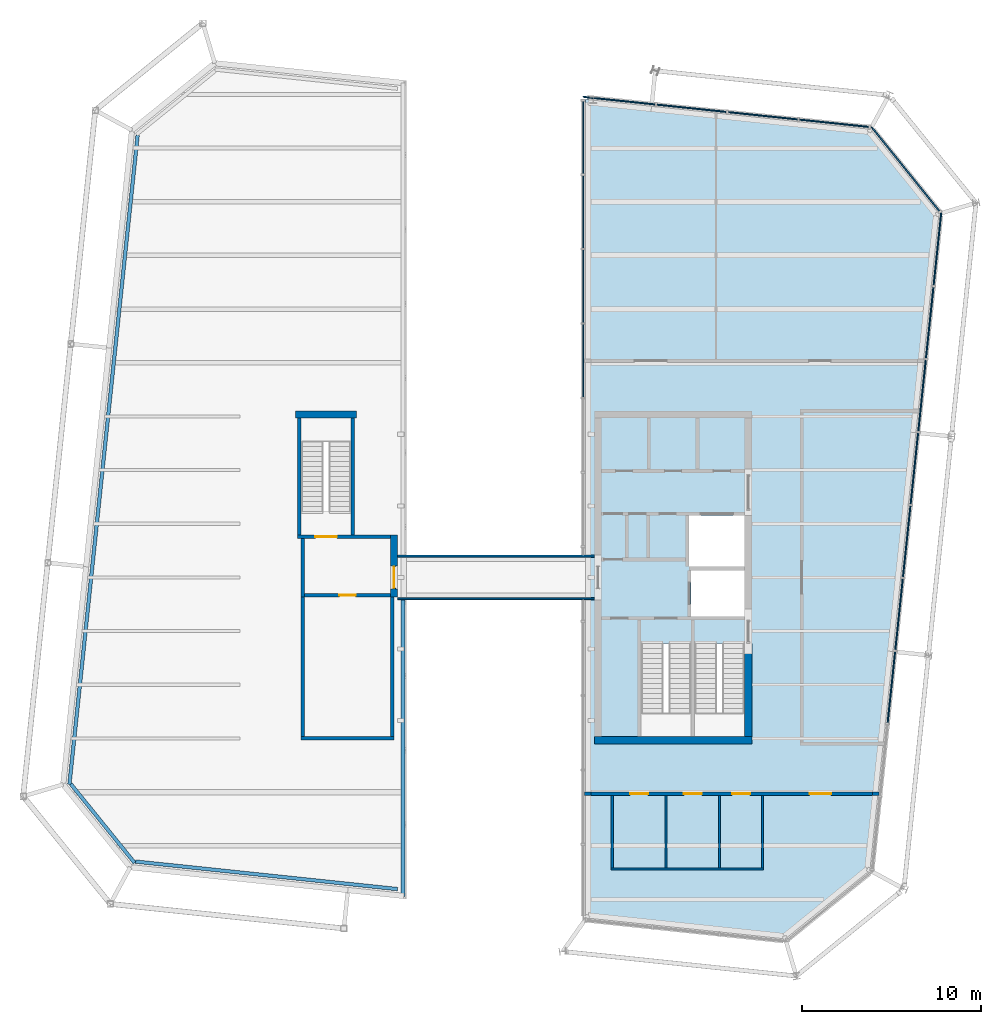
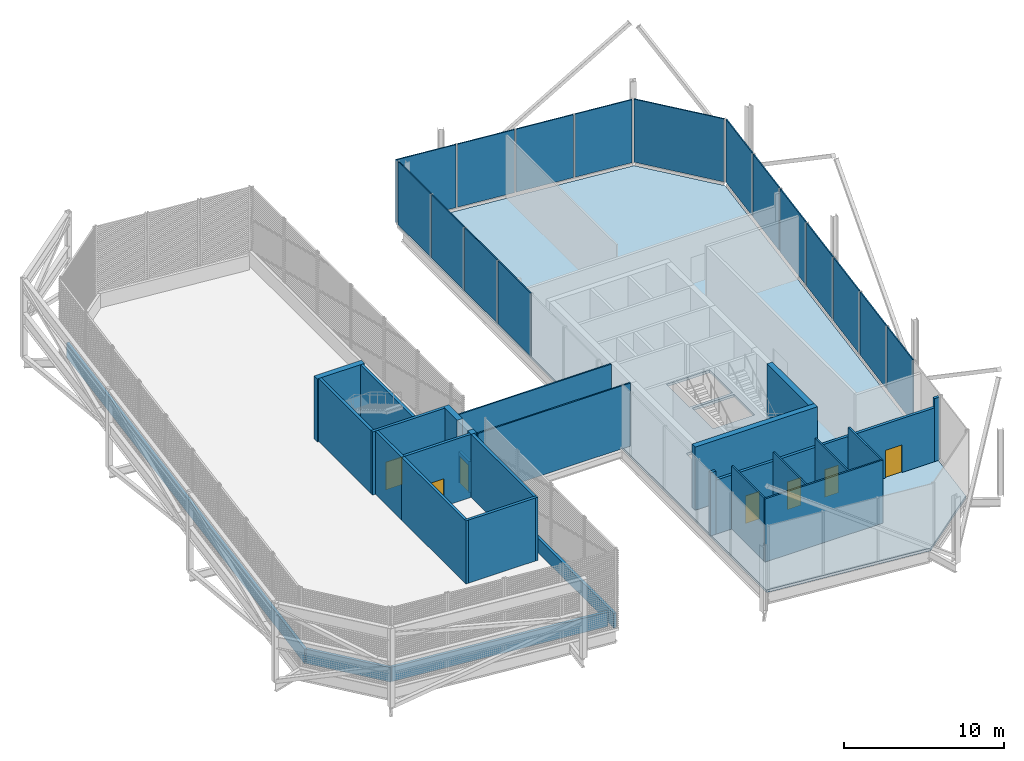
# One storey, part 10 of 15: 28 walls, 16 plates, 7 doors, 1 slab, 7 openings, 4 elements without a shape of their own.
"""IFC4 building model written with IfcOpenShell, lengths in metres."""

from ifc_helpers import new_model, si_unit, direction, frame, frame_2d, origin, place, context, subcontext, project, spatial, polyline, rectangle, outline, extrude, material, layer, layer_set, type_object, element, fill, aggregate, save


model = new_model("IFC4")

# Units and contexts
model_context = context("Model", 3, precision=1e-05, world=origin(), true_north=direction((0.0, 1.0)))
body_context = subcontext(model_context, "Body", "Model", "MODEL_VIEW")
ifc_project = project(units=[si_unit("LENGTHUNIT", "METRE"), si_unit("AREAUNIT", "SQUARE_METRE"), si_unit("VOLUMEUNIT", "CUBIC_METRE"), si_unit("PLANEANGLEUNIT", "RADIAN"), si_unit("MASSUNIT", "GRAM", prefix="KILO")], contexts=[model_context])

# Site, building, storey
site_placement = place(None, origin())
site = spatial("IfcSite", under=ifc_project, at=site_placement, CompositionType="ELEMENT")
building_placement = place(site_placement, origin())
building = spatial("IfcBuilding", under=site, at=building_placement, Name="Millrace Tower", CompositionType="ELEMENT")
storey_placement = place(building_placement, frame((0.0, 0.0, 352.10009765625)))
storey = spatial("IfcBuildingStorey", under=building, at=storey_placement, Name="L81", CompositionType="ELEMENT", Elevation=352.10009765625)

# Curtain wall, plates
ifc_material_1 = material(Name="Aluminium and glass", Category="aluminium")
ifc_layer_1 = layer(ifc_material_1, 0.25)
ifc_layer_set_1 = layer_set([ifc_layer_1], Name="Aluminium and glass")
curtain_wall_type = type_object("IfcCurtainWallType", Name="CW-7 crown louvred enclosure", PredefinedType="NOTDEFINED", material=ifc_layer_set_1)
placement_1 = place(storey_placement, origin())
curtain_wall_1 = element("IfcCurtainWall", 1, at=placement_1, inside=storey, type_object=curtain_wall_type, Name="Curtain wall CE-F01 L81", PredefinedType="NOTDEFINED")
ifc_material_2 = material(Name="Glass", Category="glass")
ifc_layer_2 = layer(ifc_material_2, 0.080078125)
ifc_layer_set_2 = layer_set([ifc_layer_2], Name="Glass")
plate_type = type_object("IfcPlateType", Name="CW-7 crown louvred enclosure fixed louvre panel", PredefinedType="CURTAIN_PANEL", material=ifc_layer_set_2)
placement_2 = place(storey_placement, frame((0.0, 0.0, 0.199951171875)))
plate_1 = element("IfcPlate", 2, at=placement_2, type_object=plate_type, Name="CW7 panel CE-F01.1", PredefinedType="CURTAIN_PANEL", context=body_context, shape_type="SweptSolid", body=[
    extrude(outline(polyline([(4.8349609375, 26.620849609375), (4.8349609375, 22.561767578125), (4.9150390625, 22.561767578125), (4.9150390625, 26.620849609375), (4.8349609375, 26.620849609375)])), origin(), (0.0, 0.0, 1.0), 4.800048828125),
])
plate_2 = element("IfcPlate", 3, at=placement_2, type_object=plate_type, Name="CW7 panel CE-F01.2", PredefinedType="CURTAIN_PANEL", context=body_context, shape_type="SweptSolid", body=[
    extrude(outline(polyline([(4.8349609375, 22.461669921875), (4.8349609375, 18.402587890625), (4.9150390625, 18.402587890625), (4.9150390625, 22.461669921875), (4.8349609375, 22.461669921875)])), origin(), (0.0, 0.0, 1.0), 4.800048828125),
])
plate_3 = element("IfcPlate", 4, at=placement_2, type_object=plate_type, Name="CW7 panel CE-F01.3", PredefinedType="CURTAIN_PANEL", context=body_context, shape_type="SweptSolid", body=[
    extrude(outline(polyline([(4.8349609375, 18.302490234375), (4.8349609375, 14.243408203125), (4.9150390625, 14.243408203125), (4.9150390625, 18.302490234375), (4.8349609375, 18.302490234375)])), origin(), (0.0, 0.0, 1.0), 4.800048828125),
])
plate_4 = element("IfcPlate", 5, at=placement_2, type_object=plate_type, Name="CW7 panel CE-F01.4", PredefinedType="CURTAIN_PANEL", context=body_context, shape_type="SweptSolid", body=[
    extrude(outline(polyline([(4.8349609375, 14.143310546875), (4.8349609375, 10.084228515625), (4.9150390625, 10.084228515625), (4.9150390625, 14.143310546875), (4.8349609375, 14.143310546875)])), origin(), (0.0, 0.0, 1.0), 4.800048828125),
])
aggregate(curtain_wall_1, [plate_1, plate_2, plate_3, plate_4])

curtain_wall_2 = element("IfcCurtainWall", 6, at=placement_1, inside=storey, type_object=curtain_wall_type, Name="Curtain wall CE-F04 L81", PredefinedType="NOTDEFINED")
plate_5 = element("IfcPlate", 7, at=placement_2, type_object=plate_type, Name="CW7 panel CE-F04.3", PredefinedType="CURTAIN_PANEL", context=body_context, shape_type="SweptSolid", body=[
    extrude(outline(polyline([(21.928466796875, -8.1396484375), (22.3466796875, -4.16162109375), (22.26708984375, -4.1533203125), (21.848876953125, -8.13134765625), (21.928466796875, -8.1396484375)])), origin(), (0.0, 0.0, 1.0), 4.800048828125),
])
plate_6 = element("IfcPlate", 8, at=placement_2, type_object=plate_type, Name="CW7 panel CE-F04.4", PredefinedType="CURTAIN_PANEL", context=body_context, shape_type="SweptSolid", body=[
    extrude(outline(polyline([(22.357177734375, -4.06201171875), (22.775146484375, -0.083984375), (22.695556640625, -0.07568359375), (22.277587890625, -4.0537109375), (22.357177734375, -4.06201171875)])), origin(), (0.0, 0.0, 1.0), 4.800048828125),
])
plate_7 = element("IfcPlate", 9, at=placement_2, type_object=plate_type, Name="CW7 panel CE-F04.5", PredefinedType="CURTAIN_PANEL", context=body_context, shape_type="SweptSolid", body=[
    extrude(outline(polyline([(22.78564453125, 0.015380859375), (23.203857421875, 3.993408203125), (23.124267578125, 4.001953125), (22.7060546875, 0.023681640625), (22.78564453125, 0.015380859375)])), origin(), (0.0, 0.0, 1.0), 4.800048828125),
])
plate_8 = element("IfcPlate", 10, at=placement_2, type_object=plate_type, Name="CW7 panel CE-F04.6", PredefinedType="CURTAIN_PANEL", context=body_context, shape_type="SweptSolid", body=[
    extrude(outline(polyline([(23.214111328125, 4.093017578125), (23.63232421875, 8.071044921875), (23.552734375, 8.079345703125), (23.134521484375, 4.101318359375), (23.214111328125, 4.093017578125)])), origin(), (0.0, 0.0, 1.0), 4.800048828125),
])
plate_9 = element("IfcPlate", 11, at=placement_2, type_object=plate_type, Name="CW7 panel CE-F04.7", PredefinedType="CURTAIN_PANEL", context=body_context, shape_type="SweptSolid", body=[
    extrude(outline(polyline([(23.642822265625, 8.17041015625), (24.060791015625, 12.148681640625), (23.9814453125, 12.156982421875), (23.563232421875, 8.178955078125), (23.642822265625, 8.17041015625)])), origin(), (0.0, 0.0, 1.0), 4.800048828125),
])
plate_10 = element("IfcPlate", 12, at=placement_2, type_object=plate_type, Name="CW7 panel CE-F04.8", PredefinedType="CURTAIN_PANEL", context=body_context, shape_type="SweptSolid", body=[
    extrude(outline(polyline([(24.0712890625, 12.248046875), (24.489501953125, 16.22607421875), (24.409912109375, 16.234375), (23.99169921875, 12.25634765625), (24.0712890625, 12.248046875)])), origin(), (0.0, 0.0, 1.0), 4.800048828125),
])
plate_11 = element("IfcPlate", 13, at=placement_2, type_object=plate_type, Name="CW7 panel CE-F04.9", PredefinedType="CURTAIN_PANEL", context=body_context, shape_type="SweptSolid", body=[
    extrude(outline(polyline([(24.5, 16.32568359375), (24.925048828125, 20.37158203125), (24.842041015625, 20.346923828125), (24.42041015625, 16.333984375), (24.5, 16.32568359375)])), origin(), (0.0, 0.0, 1.0), 4.800048828125),
])
aggregate(curtain_wall_2, [plate_5, plate_6, plate_7, plate_8, plate_9, plate_10, plate_11])

# Curtain wall, plate
curtain_wall_3 = element("IfcCurtainWall", 14, at=placement_1, inside=storey, type_object=curtain_wall_type, Name="Curtain wall CE-F05 L81", PredefinedType="NOTDEFINED")
plate_12 = element("IfcPlate", 15, at=placement_2, type_object=plate_type, Name="CW7 panel CE-F05.1", PredefinedType="CURTAIN_PANEL", context=body_context, shape_type="SweptSolid", body=[
    extrude(outline(polyline([(24.8193359375, 20.50244140625), (21.01220703125, 25.203857421875), (20.970947265625, 25.127685546875), (24.757080078125, 20.4521484375), (24.8193359375, 20.50244140625)])), origin(), (0.0, 0.0, 1.0), 4.800048828125),
])
aggregate(curtain_wall_3, [plate_12])

# Curtain wall, plates
curtain_wall_4 = element("IfcCurtainWall", 16, at=placement_1, inside=storey, type_object=curtain_wall_type, Name="Curtain wall CE-F06 L81", PredefinedType="NOTDEFINED")
plate_13 = element("IfcPlate", 17, at=placement_2, type_object=plate_type, Name="CW7 panel CE-F06.1", PredefinedType="CURTAIN_PANEL", context=body_context, shape_type="SweptSolid", body=[
    extrude(outline(polyline([(20.8447265625, 25.221435546875), (16.96240234375, 25.62939453125), (16.9541015625, 25.5498046875), (20.83642578125, 25.141845703125), (20.8447265625, 25.221435546875)])), origin(), (0.0, 0.0, 1.0), 4.800048828125),
])
plate_14 = element("IfcPlate", 18, at=placement_2, type_object=plate_type, Name="CW7 panel CE-F06.2", PredefinedType="CURTAIN_PANEL", context=body_context, shape_type="SweptSolid", body=[
    extrude(outline(polyline([(16.863037109375, 25.639892578125), (12.980712890625, 26.0478515625), (12.972412109375, 25.96826171875), (16.854736328125, 25.560302734375), (16.863037109375, 25.639892578125)])), origin(), (0.0, 0.0, 1.0), 4.800048828125),
])
plate_15 = element("IfcPlate", 19, at=placement_2, type_object=plate_type, Name="CW7 panel CE-F06.3", PredefinedType="CURTAIN_PANEL", context=body_context, shape_type="SweptSolid", body=[
    extrude(outline(polyline([(12.88134765625, 26.058349609375), (8.9990234375, 26.46630859375), (8.99072265625, 26.386962890625), (12.872802734375, 25.978759765625), (12.88134765625, 26.058349609375)])), origin(), (0.0, 0.0, 1.0), 4.800048828125),
])
plate_16 = element("IfcPlate", 20, at=placement_2, type_object=plate_type, Name="CW7 panel CE-F06.4", PredefinedType="CURTAIN_PANEL", context=body_context, shape_type="SweptSolid", body=[
    extrude(outline(polyline([(8.8994140625, 26.476806640625), (4.8349609375, 26.904052734375), (4.9150390625, 26.815185546875), (8.89111328125, 26.397216796875), (8.8994140625, 26.476806640625)])), origin(), (0.0, 0.0, 1.0), 4.800048828125),
])
aggregate(curtain_wall_4, [plate_13, plate_14, plate_15, plate_16])

# Slab
ifc_material_3 = material(Name="Concrete C35 on steel deck", Category="concrete")
ifc_layer_3 = layer(ifc_material_3, 0.199951171875)
ifc_layer_set_3 = layer_set([ifc_layer_3], Name="Concrete C35 on steel deck")
slab_type = type_object("IfcSlabType", Name="Composite floor slab 200 mm", PredefinedType="FLOOR", material=ifc_layer_set_3)
slab_placement = place(storey_placement, frame((0.0, 0.0, -0.2001953125)))
element("IfcSlab", 21, at=slab_placement, inside=storey, type_object=slab_type, Name="SL-CROWN-L81-SE", PredefinedType="FLOOR", context=body_context, shape_type="SweptSolid", body=[
    extrude(outline(polyline([(5.0, 26.720703125), (5.0, -19.02978515625), (16.1708984375, -20.203857421875), (20.896728515625, -16.376953125), (24.75390625, 20.32080078125), (20.927001953125, 25.046875), (5.0, 26.720703125)]), holes=[polyline([(10.800048828125, 0.60009765625), (13.89990234375, 0.60009765625), (13.89990234375, 3.449951171875), (10.800048828125, 3.449951171875), (10.800048828125, 0.60009765625)]), polyline([(10.89990234375, -2.179931640625), (13.89990234375, -2.179931640625), (13.89990234375, 0.39990234375), (10.89990234375, 0.39990234375), (10.89990234375, -2.179931640625)]), polyline([(11.10009765625, -8.89990234375), (13.89990234375, -8.89990234375), (13.89990234375, -3.679931640625), (11.10009765625, -3.679931640625), (11.10009765625, -8.89990234375)]), polyline([(8.10009765625, -8.89990234375), (10.89990234375, -8.89990234375), (10.89990234375, -3.679931640625), (8.10009765625, -3.679931640625), (8.10009765625, -8.89990234375)])]), origin(), (0.0, 0.0, 1.0), 0.2001953125),
])

# Walls
ifc_material_4 = material(Name="Concrete C60", Category="concrete")
ifc_layer_4 = layer(ifc_material_4, 0.39990234375)
ifc_layer_set_4 = layer_set([ifc_layer_4], Name="Concrete C60")
wall_type_1 = type_object("IfcWallType", Name="Core wall 400 Concrete C60", PredefinedType="SHEAR", material=ifc_layer_set_4)
wall_1_placement = place(storey_placement, frame((14.300048828125, -9.10009765625, 0.0), z_axis=(0.0, 0.0, 1.0), x_axis=(-1.0, 0.0, 0.0)))
element("IfcWall", 22, at=wall_1_placement, inside=storey, type_object=wall_type_1, Name="Core wall E L81", PredefinedType="SHEAR", context=body_context, shape_type="SweptSolid", body=[
    extrude(rectangle(XDim=8.800048828125, YDim=0.39990234375, at=frame_2d((4.39990234375, 0.0))), origin(), (0.0, 0.0, 1.0), 4.7998046875),
])
wall_2_placement = place(storey_placement, frame((14.10009765625, -3.679931640625, 0.0), z_axis=(0.0, 0.0, 1.0), x_axis=(0.0, -1.0, 0.0)))
element("IfcWall", 23, at=wall_2_placement, inside=storey, type_object=wall_type_1, Name="Core wall E L81", PredefinedType="SHEAR", context=body_context, shape_type="SweptSolid", body=[
    extrude(rectangle(XDim=5.219970703125, YDim=0.39990234375, at=frame_2d((2.60986328125, 0.0))), origin(), (0.0, 0.0, 1.0), 4.7998046875),
])
ifc_material_5 = material(Name="Masonry partition, fire-rated", Category="masonry")
ifc_layer_5 = layer(ifc_material_5, 0.199951171875)
ifc_layer_set_5 = layer_set([ifc_layer_5], Name="Masonry partition, fire-rated")
wall_type_2 = type_object("IfcWallType", Name="Corridor wall 200", PredefinedType="PARTITIONING", material=ifc_layer_set_5)
wall_3_placement = place(storey_placement, frame((4.93994140625, -12.10009765625, 0.0), z_axis=(0.0, 0.0, 1.0), x_axis=(1.0, 0.0, 0.0)))
element("IfcWall", 24, at=wall_3_placement, inside=storey, type_object=wall_type_2, Name="Corridor wall L81", PredefinedType="PARTITIONING", context=body_context, shape_type="SweptSolid", body=[
    extrude(rectangle(XDim=0.367431640625, YDim=0.199951171875, at=frame_2d((0.18359375, 0.0))), origin(), (0.0, 0.0, 1.0), 4.7998046875),
])

# Wall, openings, doors
wall_4_placement = place(storey_placement, frame((5.307373046875, -12.10009765625, 0.0), z_axis=(0.0, 0.0, 1.0), x_axis=(1.0, 0.0, 0.0)))
wall_4 = element("IfcWall", 25, at=wall_4_placement, inside=storey, type_object=wall_type_2, Name="Corridor wall L81", PredefinedType="PARTITIONING", context=body_context, shape_type="SweptSolid", body=[
    extrude(rectangle(XDim=15.740478515625, YDim=0.199951171875, at=frame_2d((7.8701171875, 0.0))), origin(), (0.0, 0.0, 1.0), 4.1064453125),
])
opening_1_placement = place(wall_4_placement, frame((12.220947265625, 0.0, 0.0)))
opening_1 = element("IfcOpeningElement", 26, at=opening_1_placement, cuts=wall_4, Name="Opening 81-P004", PredefinedType="OPENING", context=body_context, shape_type="SweptSolid", body=[
    extrude(rectangle(XDim=1.199951171875, YDim=2.10009765625, at=frame_2d((0.60009765625, 1.050048828125))), frame((0.0, 0.10986328125, 0.0), z_axis=(0.0, -1.0, 0.0), x_axis=(1.0, 0.0, 0.0)), (0.0, 0.0, 1.0), 0.219970703125),
])
opening_2_placement = place(wall_4_placement, frame((2.192626953125, 0.0, 0.0)))
opening_2 = element("IfcOpeningElement", 27, at=opening_2_placement, cuts=wall_4, Name="Opening 81-P005", PredefinedType="OPENING", context=body_context, shape_type="SweptSolid", body=[
    extrude(rectangle(XDim=1.0, YDim=2.10009765625, at=frame_2d((0.5, 1.050048828125))), frame((0.0, 0.10986328125, 0.0), z_axis=(0.0, -1.0, 0.0), x_axis=(1.0, 0.0, 0.0)), (0.0, 0.0, 1.0), 0.219970703125),
])
opening_3_placement = place(wall_4_placement, frame((5.192626953125, 0.0, 0.0)))
opening_3 = element("IfcOpeningElement", 28, at=opening_3_placement, cuts=wall_4, Name="Opening 81-P006", PredefinedType="OPENING", context=body_context, shape_type="SweptSolid", body=[
    extrude(rectangle(XDim=1.0, YDim=2.10009765625, at=frame_2d((0.5, 1.050048828125))), frame((0.0, 0.10986328125, 0.0), z_axis=(0.0, -1.0, 0.0), x_axis=(1.0, 0.0, 0.0)), (0.0, 0.0, 1.0), 0.219970703125),
])
opening_4_placement = place(wall_4_placement, frame((7.892578125, 0.0, 0.0)))
opening_4 = element("IfcOpeningElement", 29, at=opening_4_placement, cuts=wall_4, Name="Opening 81-P007", PredefinedType="OPENING", context=body_context, shape_type="SweptSolid", body=[
    extrude(rectangle(XDim=1.0, YDim=2.10009765625, at=frame_2d((0.5, 1.050048828125))), frame((0.0, 0.10986328125, 0.0), z_axis=(0.0, -1.0, 0.0), x_axis=(1.0, 0.0, 0.0)), (0.0, 0.0, 1.0), 0.219970703125),
])
ifc_material_6 = material(Name="Steel door set, fire-rated", Category="steel")
door_type_1 = type_object("IfcDoorType", Name="Corridor door 1000 x 2100", OperationType="SINGLE_SWING_LEFT", PredefinedType="DOOR", material=ifc_material_6)
door_1_placement = place(opening_2_placement, frame((1.0, 0.0, 0.0), z_axis=(0.0, 0.0, 1.0), x_axis=(-1.0, 0.0, 0.0)))
door_1 = element("IfcDoor", 30, at=door_1_placement, inside=storey, type_object=door_type_1, Name="Door 81-P005", OperationType="SINGLE_SWING_RIGHT", OverallHeight=2.10009765625, OverallWidth=1.0, PredefinedType="DOOR", context=body_context, shape_type="SweptSolid", body=[
    extrude(rectangle(XDim=1.0, YDim=2.10009765625, at=frame_2d((0.5, 1.050048828125))), frame((0.0, 0.02490234375, 0.0), z_axis=(0.0, -1.0, 0.0), x_axis=(1.0, 0.0, 0.0)), (0.0, 0.0, 1.0), 0.050048828125),
])
fill(opening_2, door_1)
door_2_placement = place(opening_3_placement, frame((1.0, 0.0, 0.0), z_axis=(0.0, 0.0, 1.0), x_axis=(-1.0, 0.0, 0.0)))
door_2 = element("IfcDoor", 31, at=door_2_placement, inside=storey, type_object=door_type_1, Name="Door 81-P006", OperationType="SINGLE_SWING_RIGHT", OverallHeight=2.10009765625, OverallWidth=1.0, PredefinedType="DOOR", context=body_context, shape_type="SweptSolid", body=[
    extrude(rectangle(XDim=1.0, YDim=2.10009765625, at=frame_2d((0.5, 1.050048828125))), frame((0.0, 0.02490234375, 0.0), z_axis=(0.0, -1.0, 0.0), x_axis=(1.0, 0.0, 0.0)), (0.0, 0.0, 1.0), 0.050048828125),
])
fill(opening_3, door_2)
door_3_placement = place(opening_4_placement, frame((1.0, 0.0, 0.0), z_axis=(0.0, 0.0, 1.0), x_axis=(-1.0, 0.0, 0.0)))
door_3 = element("IfcDoor", 32, at=door_3_placement, inside=storey, type_object=door_type_1, Name="Door 81-P007", OperationType="SINGLE_SWING_LEFT", OverallHeight=2.10009765625, OverallWidth=1.0, PredefinedType="DOOR", context=body_context, shape_type="SweptSolid", body=[
    extrude(rectangle(XDim=1.0, YDim=2.10009765625, at=frame_2d((0.5, 1.050048828125))), frame((0.0, 0.02490234375, 0.0), z_axis=(0.0, -1.0, 0.0), x_axis=(1.0, 0.0, 0.0)), (0.0, 0.0, 1.0), 0.050048828125),
])
fill(opening_4, door_3)
ifc_material_7 = material(Name="Steel door set, fire-rated", Category="steel")
door_type_2 = type_object("IfcDoorType", Name="Corridor door 1200 x 2100", OperationType="SINGLE_SWING_LEFT", PredefinedType="DOOR", material=ifc_material_7)
door_4_placement = place(opening_1_placement, frame((1.199951171875, 0.0, 0.0), z_axis=(0.0, 0.0, 1.0), x_axis=(-1.0, 0.0, 0.0)))
door_4 = element("IfcDoor", 33, at=door_4_placement, inside=storey, type_object=door_type_2, Name="Door 81-P004", OperationType="SINGLE_SWING_LEFT", OverallHeight=2.10009765625, OverallWidth=1.199951171875, PredefinedType="DOOR", context=body_context, shape_type="SweptSolid", body=[
    extrude(rectangle(XDim=1.199951171875, YDim=2.10009765625, at=frame_2d((0.60009765625, 1.050048828125))), frame((0.0, 0.02490234375, 0.0), z_axis=(0.0, -1.0, 0.0), x_axis=(1.0, 0.0, 0.0)), (0.0, 0.0, 1.0), 0.050048828125),
])
fill(opening_1, door_4)

# Walls
wall_5_placement = place(storey_placement, frame((21.0478515625, -12.10009765625, 0.0), z_axis=(0.0, 0.0, 1.0), x_axis=(1.0, 0.0, 0.0)))
element("IfcWall", 34, at=wall_5_placement, inside=storey, type_object=wall_type_2, Name="Corridor wall L81", PredefinedType="PARTITIONING", context=body_context, shape_type="SweptSolid", body=[
    extrude(rectangle(XDim=0.35888671875, YDim=0.199951171875, at=frame_2d((0.179443359375, 0.0))), origin(), (0.0, 0.0, 1.0), 4.7998046875),
])
ifc_material_8 = material(Name="Fire-resistant glazing", Category="glass")
ifc_layer_6 = layer(ifc_material_8, 0.10009765625)
ifc_layer_set_6 = layer_set([ifc_layer_6], Name="Fire-resistant glazing")
wall_type_3 = type_object("IfcWallType", Name="Glazed fire screen 100", PredefinedType="PARTITIONING", material=ifc_layer_set_6)
for number, where, z_axis, x_axis, name in (
    (35, (-5.5, -1.18994140625, 0.0), (0.0, 0.0, 1.0), (1.0, 0.0, 0.0), "Crown link glazed wall L81"),
    (36, (-5.5, 1.18994140625, 0.0), (0.0, 0.0, 1.0), (1.0, 0.0, 0.0), "Crown link glazed wall L81"),
):
    element("IfcWall", number, at=place(storey_placement, frame(where, z_axis=z_axis, x_axis=x_axis)), inside=storey, type_object=wall_type_3, Name=name, PredefinedType="PARTITIONING", context=body_context, shape_type="SweptSolid", body=[
        extrude(rectangle(XDim=11.0, YDim=0.10009765625, at=frame_2d((5.5, 0.0))), origin(), (0.0, 0.0, 1.0), 4.7998046875),
    ])

# Wall, opening, door
ifc_material_9 = material(Name="Masonry partition, fire-rated", Category="masonry")
ifc_layer_7 = layer(ifc_material_9, 0.199951171875)
ifc_layer_set_7 = layer_set([ifc_layer_7], Name="Masonry partition, fire-rated")
wall_type_4 = type_object("IfcWallType", Name="Lobby wall 200", PredefinedType="PARTITIONING", material=ifc_layer_set_7)
wall_6_placement = place(storey_placement, frame((-5.699951171875, -0.64990234375, 0.0), z_axis=(0.0, 0.0, 1.0), x_axis=(0.0, 1.0, 0.0)))
wall_6 = element("IfcWall", 37, at=wall_6_placement, inside=storey, type_object=wall_type_4, Name="Lobby wall W L81", PredefinedType="PARTITIONING", context=body_context, shape_type="SweptSolid", body=[
    extrude(rectangle(XDim=1.2998046875, YDim=0.199951171875, at=frame_2d((0.64990234375, 0.0))), origin(), (0.0, 0.0, 1.0), 2.39990234375),
])
opening_5_placement = place(wall_6_placement, frame((0.050048828125, 0.0, 0.0)))
opening_5 = element("IfcOpeningElement", 38, at=opening_5_placement, cuts=wall_6, Name="Opening 81-C001", PredefinedType="OPENING", context=body_context, shape_type="SweptSolid", body=[
    extrude(rectangle(XDim=1.199951171875, YDim=2.10009765625, at=frame_2d((0.60009765625, 1.050048828125))), frame((0.0, 0.10986328125, 0.0), z_axis=(0.0, -1.0, 0.0), x_axis=(1.0, 0.0, 0.0)), (0.0, 0.0, 1.0), 0.219970703125),
])
ifc_material_10 = material(Name="Steel door, fire-rated", Category="steel")
door_type_3 = type_object("IfcDoorType", Name="Lobby door 1200 x 2100", OperationType="SINGLE_SWING_LEFT", PredefinedType="DOOR", material=ifc_material_10)
door_5_placement = place(opening_5_placement, origin())
door_5 = element("IfcDoor", 39, at=door_5_placement, inside=storey, type_object=door_type_3, Name="Lobby door 81-C001", OperationType="SINGLE_SWING_LEFT", OverallHeight=2.10009765625, OverallWidth=1.199951171875, PredefinedType="DOOR", context=body_context, shape_type="SweptSolid", body=[
    extrude(rectangle(XDim=1.199951171875, YDim=2.10009765625, at=frame_2d((0.60009765625, 1.050048828125))), frame((0.0, 0.02490234375, 0.0), z_axis=(0.0, -1.0, 0.0), x_axis=(1.0, 0.0, 0.0)), (0.0, 0.0, 1.0), 0.050048828125),
])
fill(opening_5, door_5)

# Walls
ifc_material_11 = material(Name="Gypsum board partition")
ifc_layer_8 = layer(ifc_material_11, 0.1201171875)
ifc_layer_set_8 = layer_set([ifc_layer_8], Name="Gypsum board partition")
wall_type_5 = type_object("IfcWallType", Name="Partition wall 120", PredefinedType="PARTITIONING", material=ifc_layer_set_8)
wall_7_placement = place(storey_placement, frame((6.43994140625, -16.300048828125, 0.0), z_axis=(0.0, 0.0, 1.0), x_axis=(1.0, 0.0, 0.0)))
element("IfcWall", 40, at=wall_7_placement, inside=storey, type_object=wall_type_5, Name="Partition wall L81", PredefinedType="PARTITIONING", context=body_context, shape_type="SweptSolid", body=[
    extrude(rectangle(XDim=8.52001953125, YDim=0.1201171875, at=frame_2d((4.260009765625, 0.0))), origin(), (0.0, 0.0, 1.0), 4.7998046875),
])
for number, where, z_axis, x_axis, name in (
    (41, (14.89990234375, -16.239990234375, 0.0), (0.0, 0.0, 1.0), (0.0, 1.0, 0.0), "Partition wall L81"),
    (42, (12.5, -16.239990234375, 0.0), (0.0, 0.0, 1.0), (0.0, 1.0, 0.0), "Partition wall L81"),
    (43, (9.5, -16.239990234375, 0.0), (0.0, 0.0, 1.0), (0.0, 1.0, 0.0), "Partition wall L81"),
    (44, (6.5, -16.239990234375, 0.0), (0.0, 0.0, 1.0), (0.0, 1.0, 0.0), "Partition wall L81"),
):
    element("IfcWall", number, at=place(storey_placement, frame(where, z_axis=z_axis, x_axis=x_axis)), inside=storey, type_object=wall_type_5, Name=name, PredefinedType="PARTITIONING", context=body_context, shape_type="SweptSolid", body=[
        extrude(rectangle(XDim=4.0400390625, YDim=0.1201171875, at=frame_2d((2.02001953125, 0.0))), origin(), (0.0, 0.0, 1.0), 4.7998046875),
    ])
ifc_material_12 = material(Name="Concrete C40", Category="concrete")
ifc_layer_9 = layer(ifc_material_12, 0.199951171875)
ifc_layer_set_9 = layer_set([ifc_layer_9], Name="Concrete C40")
wall_type_6 = type_object("IfcWallType", Name="Plant room wall 200 Concrete C40", PredefinedType="SHEAR", material=ifc_layer_set_9)
wall_8_placement = place(storey_placement, frame((-10.800048828125, -9.10009765625, 0.0), z_axis=(0.0, 0.0, 1.0), x_axis=(0.0, 1.0, 0.0)))
element("IfcWall", 45, at=wall_8_placement, inside=storey, type_object=wall_type_6, Name="Plant room wall W L81", PredefinedType="SHEAR", context=body_context, shape_type="SweptSolid", body=[
    extrude(rectangle(XDim=8.0, YDim=0.199951171875, at=frame_2d((4.0, 0.0))), origin(), (0.0, 0.0, 1.0), 4.7998046875),
])
wall_9_placement = place(storey_placement, frame((-10.89990234375, -9.0, 0.0), z_axis=(0.0, 0.0, 1.0), x_axis=(1.0, 0.0, 0.0)))
element("IfcWall", 46, at=wall_9_placement, inside=storey, type_object=wall_type_6, Name="Plant room wall W L81", PredefinedType="SHEAR", context=body_context, shape_type="SweptSolid", body=[
    extrude(rectangle(XDim=5.199951171875, YDim=0.199951171875, at=frame_2d((2.60009765625, 0.0))), origin(), (0.0, 0.0, 1.0), 4.7998046875),
])
wall_10_placement = place(storey_placement, frame((-5.800048828125, -9.10009765625, 0.0), z_axis=(0.0, 0.0, 1.0), x_axis=(0.0, 1.0, 0.0)))
element("IfcWall", 47, at=wall_10_placement, inside=storey, type_object=wall_type_6, Name="Plant room wall W L81", PredefinedType="SHEAR", context=body_context, shape_type="SweptSolid", body=[
    extrude(rectangle(XDim=8.0, YDim=0.199951171875, at=frame_2d((4.0, 0.0))), origin(), (0.0, 0.0, 1.0), 4.7998046875),
])
ifc_material_13 = material(Name="Concrete C40", Category="concrete")
ifc_layer_10 = layer(ifc_material_13, 0.199951171875)
ifc_layer_set_10 = layer_set([ifc_layer_10], Name="Concrete C40")
wall_type_7 = type_object("IfcWallType", Name="Roof parapet 1100", PredefinedType="PARAPET", material=ifc_layer_set_10)
wall_11_placement = place(storey_placement, frame((-20.03173828125, 24.71923828125, 0.0), z_axis=(0.0, 0.0, 1.0), x_axis=(-0.104526297931, -0.994522122952, 0.0)))
element("IfcWall", 48, at=wall_11_placement, inside=storey, type_object=wall_type_7, Name="Roof parapet SL-CROWN-L81-SW 3", PredefinedType="PARAPET", context=body_context, shape_type="SweptSolid", body=[
    extrude(rectangle(XDim=36.48583984375, YDim=0.199951171875, at=frame_2d((18.242919921875, 0.0))), origin(), (0.0, 0.0, 1.0), 1.099853515625),
])
wall_12_placement = place(storey_placement, frame((-23.77197265625, -11.544921875, 0.0), z_axis=(0.0, 0.0, 1.0), x_axis=(0.629302328609, -0.777160587785, 0.0)))
element("IfcWall", 49, at=wall_12_placement, inside=storey, type_object=wall_type_7, Name="Roof parapet SL-CROWN-L81-SW 4", PredefinedType="PARAPET", context=body_context, shape_type="SweptSolid", body=[
    extrude(rectangle(XDim=5.666748046875, YDim=0.199951171875, at=frame_2d((2.83349609375, 0.0))), origin(), (0.0, 0.0, 1.0), 1.099853515625),
])
wall_13_placement = place(storey_placement, frame((-20.169189453125, -15.881591796875, 0.0), z_axis=(0.0, 0.0, 1.0), x_axis=(0.994520498057, -0.10454175694, 0.0)))
element("IfcWall", 50, at=wall_13_placement, inside=storey, type_object=wall_type_7, Name="Roof parapet SL-CROWN-L81-SW 5", PredefinedType="PARAPET", context=body_context, shape_type="SweptSolid", body=[
    extrude(rectangle(XDim=14.75, YDim=0.199951171875, at=frame_2d((7.375, 0.0))), origin(), (0.0, 0.0, 1.0), 1.099853515625),
])
wall_14_placement = place(storey_placement, frame((-5.199951171875, -17.8388671875, 0.0), z_axis=(0.0, 0.0, 1.0), x_axis=(0.0, 1.0, 0.0)))
element("IfcWall", 51, at=wall_14_placement, inside=storey, type_object=wall_type_7, Name="Slot edge parapet W 1", PredefinedType="PARAPET", context=body_context, shape_type="SweptSolid", body=[
    extrude(rectangle(XDim=16.598876953125, YDim=0.199951171875, at=frame_2d((8.29931640625, 0.0))), origin(), (0.0, 0.0, 1.0), 1.099853515625),
])
ifc_material_14 = material(Name="Concrete C40", Category="concrete")
ifc_layer_11 = layer(ifc_material_14, 0.199951171875)
ifc_layer_set_11 = layer_set([ifc_layer_11], Name="Concrete C40")
wall_type_8 = type_object("IfcWallType", Name="Stair enclosure wall 200 Concrete C40", PredefinedType="SHEAR", material=ifc_layer_set_11)
for number, where, z_axis, x_axis, name in (
    (52, (-11.0, 2.3798828125, 0.0), (0.0, 0.0, 1.0), (0.0, 1.0, 0.0), "Stair enclosure wall W L81"),
    (53, (-8.0, 2.3798828125, 0.0), (0.0, 0.0, 1.0), (0.0, 1.0, 0.0), "Stair enclosure wall W L81"),
):
    element("IfcWall", number, at=place(storey_placement, frame(where, z_axis=z_axis, x_axis=x_axis)), inside=storey, type_object=wall_type_8, Name=name, PredefinedType="SHEAR", context=body_context, shape_type="SweptSolid", body=[
        extrude(rectangle(XDim=6.52001953125, YDim=0.199951171875, at=frame_2d((3.260009765625, 0.0))), origin(), (0.0, 0.0, 1.0), 4.7998046875),
    ])

# Wall, opening, door
wall_15_placement = place(storey_placement, frame((-11.10009765625, 2.280029296875, 0.0), z_axis=(0.0, 0.0, 1.0), x_axis=(1.0, 0.0, 0.0)))
wall_15 = element("IfcWall", 54, at=wall_15_placement, inside=storey, type_object=wall_type_8, Name="Stair enclosure wall W L81", PredefinedType="SHEAR", context=body_context, shape_type="SweptSolid", body=[
    extrude(rectangle(XDim=5.2001953125, YDim=0.199951171875, at=frame_2d((2.60009765625, 0.0))), origin(), (0.0, 0.0, 1.0), 4.7998046875),
])
opening_6_placement = place(wall_15_placement, frame((1.0, 0.0, 0.0)))
opening_6 = element("IfcOpeningElement", 55, at=opening_6_placement, cuts=wall_15, Name="Opening 81-C003", PredefinedType="OPENING", context=body_context, shape_type="SweptSolid", body=[
    extrude(rectangle(XDim=1.199951171875, YDim=2.10009765625, at=frame_2d((0.60009765625, 1.050048828125))), frame((0.0, 0.10986328125, 0.0), z_axis=(0.0, -1.0, 0.0), x_axis=(1.0, 0.0, 0.0)), (0.0, 0.0, 1.0), 0.219970703125),
])
ifc_material_15 = material(Name="Steel door, fire-rated", Category="steel")
door_type_4 = type_object("IfcDoorType", Name="Stair door 1200 x 2100", OperationType="SINGLE_SWING_LEFT", PredefinedType="DOOR", material=ifc_material_15)
door_6_placement = place(opening_6_placement, frame((1.199951171875, 0.0, 0.0), z_axis=(0.0, 0.0, 1.0), x_axis=(-1.0, 0.0, 0.0)))
door_6 = element("IfcDoor", 56, at=door_6_placement, inside=storey, type_object=door_type_4, Name="Stair door 81-C003", OperationType="SINGLE_SWING_RIGHT", OverallHeight=2.10009765625, OverallWidth=1.199951171875, PredefinedType="DOOR", context=body_context, shape_type="SweptSolid", body=[
    extrude(rectangle(XDim=1.199951171875, YDim=2.10009765625, at=frame_2d((0.60009765625, 1.050048828125))), frame((0.0, 0.02490234375, 0.0), z_axis=(0.0, -1.0, 0.0), x_axis=(1.0, 0.0, 0.0)), (0.0, 0.0, 1.0), 0.050048828125),
])
fill(opening_6, door_6)

# Wall
wall_16_placement = place(storey_placement, frame((-10.800048828125, -1.10009765625, 0.0), z_axis=(0.0, 0.0, 1.0), x_axis=(0.0, 1.0, 0.0)))
element("IfcWall", 57, at=wall_16_placement, inside=storey, type_object=wall_type_8, Name="Stair enclosure wall W L81", PredefinedType="SHEAR", context=body_context, shape_type="SweptSolid", body=[
    extrude(rectangle(XDim=3.280029296875, YDim=0.199951171875, at=frame_2d((1.64013671875, 0.0))), origin(), (0.0, 0.0, 1.0), 4.7998046875),
])

# Wall, opening, door
wall_17_placement = place(storey_placement, frame((-10.89990234375, -1.0, 0.0), z_axis=(0.0, 0.0, 1.0), x_axis=(1.0, 0.0, 0.0)))
wall_17 = element("IfcWall", 58, at=wall_17_placement, inside=storey, type_object=wall_type_8, Name="Stair enclosure wall W L81", PredefinedType="SHEAR", context=body_context, shape_type="SweptSolid", body=[
    extrude(rectangle(XDim=5.0, YDim=0.199951171875, at=frame_2d((2.5, 0.0))), origin(), (0.0, 0.0, 1.0), 4.7998046875),
])
opening_7_placement = place(wall_17_placement, frame((2.14990234375, 0.0, 0.0)))
opening_7 = element("IfcOpeningElement", 59, at=opening_7_placement, cuts=wall_17, Name="Opening 81-C002", PredefinedType="OPENING", context=body_context, shape_type="SweptSolid", body=[
    extrude(rectangle(XDim=0.89990234375, YDim=2.10009765625, at=frame_2d((0.449951171875, 1.050048828125))), frame((0.0, 0.10986328125, 0.0), z_axis=(0.0, -1.0, 0.0), x_axis=(1.0, 0.0, 0.0)), (0.0, 0.0, 1.0), 0.219970703125),
])
ifc_material_16 = material(Name="Steel door, fire-rated", Category="steel")
door_type_5 = type_object("IfcDoorType", Name="Service room door 900 x 2100", OperationType="SINGLE_SWING_LEFT", PredefinedType="DOOR", material=ifc_material_16)
door_7_placement = place(opening_7_placement, origin())
door_7 = element("IfcDoor", 60, at=door_7_placement, inside=storey, type_object=door_type_5, Name="Service room door 81-C002", OperationType="SINGLE_SWING_LEFT", OverallHeight=2.10009765625, OverallWidth=0.89990234375, PredefinedType="DOOR", context=body_context, shape_type="SweptSolid", body=[
    extrude(rectangle(XDim=0.89990234375, YDim=2.10009765625, at=frame_2d((0.449951171875, 1.050048828125))), frame((0.0, 0.02490234375, 0.0), z_axis=(0.0, -1.0, 0.0), x_axis=(1.0, 0.0, 0.0)), (0.0, 0.0, 1.0), 0.050048828125),
])
fill(opening_7, door_7)

# Walls
ifc_material_17 = material(Name="Concrete C40", Category="concrete")
ifc_layer_12 = layer(ifc_material_17, 0.39990234375)
ifc_layer_set_12 = layer_set([ifc_layer_12], Name="Concrete C40")
wall_type_9 = type_object("IfcWallType", Name="Stair enclosure wall 400 Concrete C40", PredefinedType="SHEAR", material=ifc_layer_set_12)
wall_18_placement = place(storey_placement, frame((-11.199951171875, 9.10009765625, 0.0), z_axis=(0.0, 0.0, 1.0), x_axis=(1.0, 0.0, 0.0)))
element("IfcWall", 61, at=wall_18_placement, inside=storey, type_object=wall_type_9, Name="Stair enclosure wall W L81", PredefinedType="SHEAR", context=body_context, shape_type="SweptSolid", body=[
    extrude(rectangle(XDim=3.39990234375, YDim=0.39990234375, at=frame_2d((1.699951171875, 0.0))), origin(), (0.0, 0.0, 1.0), 4.7998046875),
])
wall_19_placement = place(storey_placement, frame((-5.699951171875, -1.10009765625, 0.0), z_axis=(0.0, 0.0, 1.0), x_axis=(0.0, 1.0, 0.0)))
element("IfcWall", 62, at=wall_19_placement, inside=storey, type_object=wall_type_9, Name="Stair enclosure wall W L81", PredefinedType="SHEAR", context=body_context, shape_type="SweptSolid", body=[
    extrude(rectangle(XDim=0.4501953125, YDim=0.39990234375, at=frame_2d((0.22509765625, 0.0))), origin(), (0.0, 0.0, 1.0), 4.7998046875),
])
wall_20_placement = place(storey_placement, frame((-5.699951171875, 0.64990234375, 0.0), z_axis=(0.0, 0.0, 1.0), x_axis=(0.0, 1.0, 0.0)))
element("IfcWall", 63, at=wall_20_placement, inside=storey, type_object=wall_type_9, Name="Stair enclosure wall W L81", PredefinedType="SHEAR", context=body_context, shape_type="SweptSolid", body=[
    extrude(rectangle(XDim=1.72998046875, YDim=0.39990234375, at=frame_2d((0.864990234375, 0.0))), origin(), (0.0, 0.0, 1.0), 4.7998046875),
])

save(model, "model.ifc")
